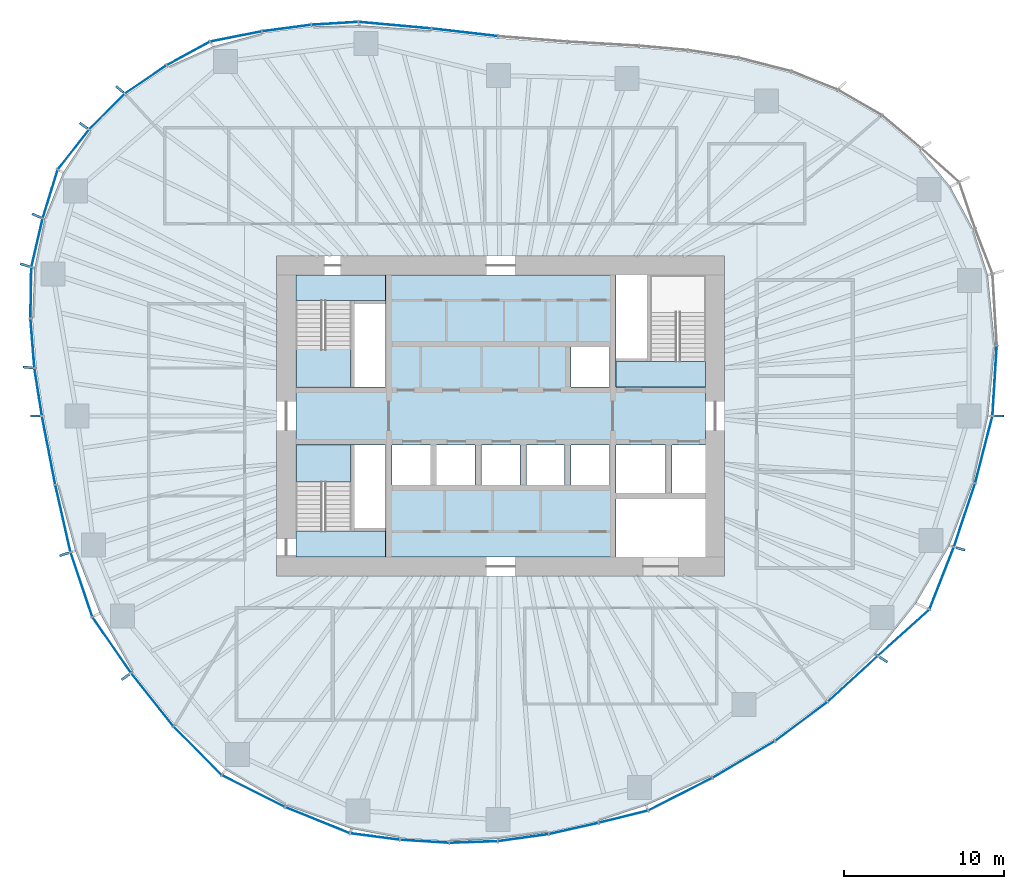
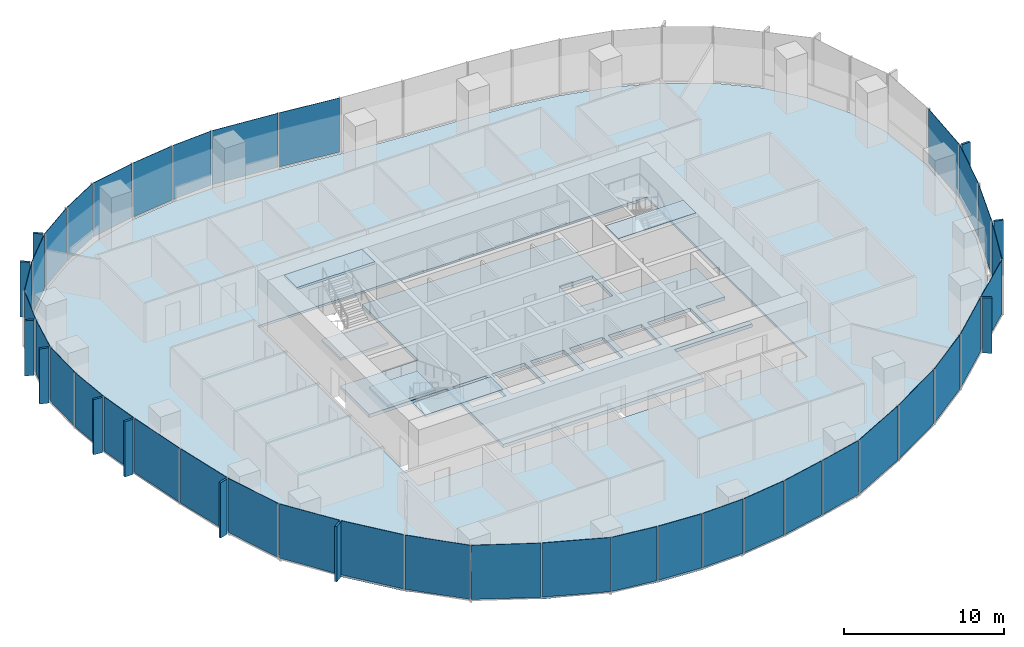
# One storey, part 7 of 18: 48 plates, 7 slabs, 19 elements without a shape of their own.
"""IFC4 building model written with IfcOpenShell, lengths in metres."""

import ifcopenshell
import ifcopenshell.guid

model = None  # the IFC model being written
_history = None  # IfcOwnerHistory: only IFC2X3 demands one
_inside = {}  # id of a spatial element -> (the spatial element, [elements in it])
_under = {}  # id of a project, library or spatial element -> (it, [spatial elements below it])
_declared = {}  # id of a project -> (the project, [libraries it declares])
_typed = {}  # id of a type object -> (the type object, [elements of that type])
_made_of = {}  # id of a material, layer set ... -> (it, [elements and type objects made of it])


def new_model(schema):
    """Start an empty IFC model of exactly this schema.

    Asked for "IFC4X3", IfcOpenShell would pick the latest addendum, in which some entities
    have other attributes; the version numbers below select the first issue.
    IFC2X3 requires an IfcOwnerHistory on every rooted entity: one is made here for all.
    """
    global model, _history
    if schema == "IFC4X3":
        model = ifcopenshell.file(schema_version=(4, 3, 0, 0))
    else:
        model = ifcopenshell.file(schema=schema)
    _inside.clear()
    _under.clear()
    _declared.clear()
    _typed.clear()
    _made_of.clear()
    _history = None
    if model.schema == "IFC2X3":
        org = make("IfcOrganization", Name="unknown")
        user = make(
            "IfcPersonAndOrganization",
            ThePerson=make("IfcPerson", FamilyName="unknown"),
            TheOrganization=org,
        )
        app = make(
            "IfcApplication",
            ApplicationDeveloper=org,
            Version="unknown",
            ApplicationFullName="unknown",
            ApplicationIdentifier="unknown",
        )
        _history = make(
            "IfcOwnerHistory",
            OwningUser=user,
            OwningApplication=app,
            ChangeAction="ADDED",
            CreationDate=0,
        )
    return model


def make(cls, **values):
    """One entity of the class cls with the attributes given. An attribute that is None is left unset."""
    return model.create_entity(
        cls, **{name: value for name, value in values.items() if value is not None}
    )


def rooted(cls, **values):
    """An entity with a GlobalId (a new one), such as an element, a storey or a relation."""
    return make(cls, GlobalId=ifcopenshell.guid.new(), OwnerHistory=_history, **values)


def si_unit(unit_type, name, prefix=None):
    """IfcSIUnit, for example si_unit("LENGTHUNIT", "METRE", prefix="MILLI")."""
    return make("IfcSIUnit", UnitType=unit_type, Prefix=prefix, Name=name)


def assignment(units):
    """IfcUnitAssignment: the units of a project."""
    return None if units is None else make("IfcUnitAssignment", Units=units)


def point(xyz):
    """IfcCartesianPoint."""
    return None if xyz is None else make("IfcCartesianPoint", Coordinates=xyz)


def direction(xyz):
    """IfcDirection."""
    return None if xyz is None else make("IfcDirection", DirectionRatios=xyz)


def frame(location, z_axis=None, x_axis=None):
    """IfcAxis2Placement3D, a coordinate frame: its origin and axes. An axis left out is left unset."""
    return make(
        "IfcAxis2Placement3D",
        Location=point(location),
        Axis=direction(z_axis),
        RefDirection=direction(x_axis),
    )


def frame_2d(location, x_axis=None):
    """IfcAxis2Placement2D, a coordinate frame in the plane: its origin and x axis."""
    return make(
        "IfcAxis2Placement2D", Location=point(location), RefDirection=direction(x_axis)
    )


def origin():
    """The frame at (0, 0, 0) with its axes left unset."""
    return frame((0.0, 0.0, 0.0))


def origin_2d():
    """The frame at (0, 0) in the plane with its x axis left unset."""
    return frame_2d((0.0, 0.0))


def place(relative_to, where):
    """IfcLocalPlacement: puts the frame where relative to a parent placement (None: the world)."""
    return make(
        "IfcLocalPlacement", PlacementRelTo=relative_to, RelativePlacement=where
    )


def context(
    kind, dimensions, precision=None, world=None, true_north=None, identifier=None
):
    """IfcGeometricRepresentationContext, for example the 3D "Model" context."""
    return make(
        "IfcGeometricRepresentationContext",
        ContextIdentifier=identifier,
        ContextType=kind,
        CoordinateSpaceDimension=dimensions,
        Precision=precision,
        WorldCoordinateSystem=world,
        TrueNorth=true_north,
    )


def subcontext(parent, identifier, kind, view, scale=None):
    """IfcGeometricRepresentationSubContext, for example "Body" below "Model"."""
    return make(
        "IfcGeometricRepresentationSubContext",
        ContextIdentifier=identifier,
        ContextType=kind,
        ParentContext=parent,
        TargetScale=scale,
        TargetView=view,
    )


def project(units=None, contexts=None):
    """IfcProject with its units and contexts."""
    return rooted(
        "IfcProject",
        Name="project",
        RepresentationContexts=contexts,
        UnitsInContext=assignment(units),
    )


def spatial(cls, under=None, at=None, **own):
    """A site, building, storey or space (cls), placed at a placement, below another one or the project."""
    s = rooted(cls, ObjectPlacement=at, **own)
    if under is not None:
        _under.setdefault(under.id(), (under, []))[1].append(s)
    return s


def polyline(points):
    """IfcPolyline through the points."""
    return make("IfcPolyline", Points=[point(p) for p in points])


def profile(cls, at=None, kind="AREA", **sizes):
    """A parametric profile (cls). Its sizes go by their IFC names, for example OverallWidth=200.0."""
    return make(cls, ProfileType=kind, Position=at, **sizes)


def rectangle(**sizes):
    """IfcRectangleProfileDef."""
    return profile("IfcRectangleProfileDef", **sizes)


def outline(outer, holes=None, kind="AREA"):
    """IfcArbitraryClosedProfileDef: a profile drawn as a closed curve; with holes, ...WithVoids."""
    if holes is None:
        return make("IfcArbitraryClosedProfileDef", ProfileType=kind, OuterCurve=outer)
    return make(
        "IfcArbitraryProfileDefWithVoids",
        ProfileType=kind,
        OuterCurve=outer,
        InnerCurves=holes,
    )


def extrude(swept, where, along, depth):
    """IfcExtrudedAreaSolid: the profile swept, set in the frame where, extruded along a direction by depth."""
    return make(
        "IfcExtrudedAreaSolid",
        SweptArea=swept,
        Position=where,
        ExtrudedDirection=direction(along),
        Depth=depth,
    )


def shape(context_of_items, identifier, shape_type, items):
    """IfcShapeRepresentation: the items that make up one representation, for example the "Body"."""
    return make(
        "IfcShapeRepresentation",
        ContextOfItems=context_of_items,
        RepresentationIdentifier=identifier,
        RepresentationType=shape_type,
        Items=items,
    )


def material(Name=None, Category=None):
    """IfcMaterial."""
    return make("IfcMaterial", Name=Name, Category=Category)


def layer(
    of_material, thickness, ventilated=None, Name=None, Category=None, Priority=None
):
    """IfcMaterialLayer: one layer of a wall or slab, of a material (None: an air gap)."""
    return make(
        "IfcMaterialLayer",
        Material=of_material,
        LayerThickness=thickness,
        IsVentilated=ventilated,
        Name=Name,
        Category=Category,
        Priority=Priority,
    )


def layer_set(layers, Name=None):
    """IfcMaterialLayerSet."""
    return make("IfcMaterialLayerSet", MaterialLayers=layers, LayerSetName=Name)


def made_of(thing, what):
    """Note that an element or type object is made of a material, layer set ...; save() writes the relation."""
    if what is not None:
        _made_of.setdefault(what.id(), (what, []))[1].append(thing)
    return thing


def type_object(cls, material=None, **own):
    """A type object (cls), such as IfcWallType, which elements share."""
    return made_of(rooted(cls, **own), material)


def element(
    cls,
    number,
    at=None,
    inside=None,
    cuts=None,
    type_object=None,
    material=None,
    context=None,
    identifier="Body",
    shape_type=None,
    held_by="IfcProductDefinitionShape",
    body=None,
    shapes=None,
    **own,
):
    """One element of the class cls, such as IfcWall. Its Tag is "e" and its number.

    at: its placement. inside: the storey or other place that contains it. cuts: it is an
    opening in that element (IfcRelVoidsElement). A single representation is given by context,
    identifier, shape_type and body (its items); several are given by shapes. held_by: the class
    of the entity that holds the representations. save() writes the other relations.
    """
    e = rooted(cls, Tag="e%d" % number, ObjectPlacement=at, **own)
    if body is not None:
        shapes = [shape(context, identifier, shape_type, body)]
    if shapes is not None:
        e.Representation = make(held_by, Representations=shapes)
    if inside is not None:
        _inside.setdefault(inside.id(), (inside, []))[1].append(e)
    if cuts is not None:
        rooted(
            "IfcRelVoidsElement", RelatingBuildingElement=cuts, RelatedOpeningElement=e
        )
    if type_object is not None:
        _typed.setdefault(type_object.id(), (type_object, []))[1].append(e)
    return made_of(e, material)


def aggregate(whole, parts):
    """IfcRelAggregates: a whole, such as a stair, and the parts it consists of."""
    return rooted("IfcRelAggregates", RelatingObject=whole, RelatedObjects=parts)


def save(model, path):
    """Write the relations noted so far, then the file.

    IfcRelAggregates (storeys below a building ...), IfcRelContainedInSpatialStructure (elements
    in a storey), IfcRelDefinesByType, IfcRelAssociatesMaterial and IfcRelDeclares: one each for
    every whole, place, type object, material and project.
    """
    for whole, parts in _under.values():
        aggregate(whole, parts)
    for where, things in _inside.values():
        rooted(
            "IfcRelContainedInSpatialStructure",
            RelatedElements=things,
            RelatingStructure=where,
        )
    for kind, things in _typed.values():
        rooted("IfcRelDefinesByType", RelatedObjects=things, RelatingType=kind)
    for what, things in _made_of.values():
        rooted("IfcRelAssociatesMaterial", RelatedObjects=things, RelatingMaterial=what)
    for by, libraries in _declared.values():
        rooted("IfcRelDeclares", RelatingContext=by, RelatedDefinitions=libraries)
    model.write(path)


model = new_model("IFC4")

# Units and contexts
model_context = context("Model", 3, precision=1e-05, world=origin(), true_north=direction((0.0, 1.0)))
body_context = subcontext(model_context, "Body", "Model", "MODEL_VIEW")
ifc_project = project(units=[si_unit("LENGTHUNIT", "METRE"), si_unit("AREAUNIT", "SQUARE_METRE"), si_unit("VOLUMEUNIT", "CUBIC_METRE"), si_unit("PLANEANGLEUNIT", "RADIAN"), si_unit("MASSUNIT", "GRAM", prefix="KILO")], contexts=[model_context])

# Site, building, storey
site_placement = place(None, origin())
site = spatial("IfcSite", under=ifc_project, at=site_placement, CompositionType="ELEMENT")
building_placement = place(site_placement, origin())
building = spatial("IfcBuilding", under=site, at=building_placement, Name="Ghaith Harvest Tower", CompositionType="ELEMENT")
storey_placement = place(building_placement, frame((0.0, 0.0, 113.39990234375)))
storey = spatial("IfcBuildingStorey", under=building, at=storey_placement, Name="L23", CompositionType="ELEMENT", Elevation=113.39990234375)

# Curtain wall, plate
ifc_material_1 = material(Name="Black anodised aluminium and fritted glass", Category="aluminium")
curtain_wall_type = type_object("IfcCurtainWallType", Name="CW-L CURTAIN WALL", PredefinedType="NOTDEFINED", material=ifc_material_1)
curtain_wall_1_placement = place(storey_placement, origin())
curtain_wall_1 = element("IfcCurtainWall", 1, at=curtain_wall_1_placement, inside=storey, type_object=curtain_wall_type, Name="Curtain wall CW-L bay 01 L23", PredefinedType="NOTDEFINED")
ifc_material_2 = material(Name="Glass, dark solar-control fritted double glazed unit", Category="glass")
ifc_layer_1 = layer(ifc_material_2, 0.031982421875)
ifc_layer_set_1 = layer_set([ifc_layer_1], Name="CW-L VISION PANEL")
plate_type_1 = type_object("IfcPlateType", Name="CW-L VISION PANEL", PredefinedType="CURTAIN_PANEL", material=ifc_layer_set_1)
plate_1_placement = place(storey_placement, frame((30.86376953125, 2.19482421875, 0.080078125), z_axis=(0.0, 0.0, 1.0), x_axis=(0.061379619468, 0.99811449359, 0.0)))
plate_1 = element("IfcPlate", 2, at=plate_1_placement, type_object=plate_type_1, Name="CW-L glass unit 1 bay 01 L23", PredefinedType="CURTAIN_PANEL", context=body_context, shape_type="SweptSolid", body=[
    extrude(rectangle(XDim=4.318115234375, YDim=0.031982421875, at=origin_2d()), origin(), (0.0, 0.0, 1.0), 4.1201171875),
])
aggregate(curtain_wall_1, [plate_1])

# Curtain wall, plates
curtain_wall_2_placement = place(storey_placement, origin())
curtain_wall_2 = element("IfcCurtainWall", 3, at=curtain_wall_2_placement, inside=storey, type_object=curtain_wall_type, Name="Curtain wall CW-L bay 06 L23", PredefinedType="NOTDEFINED")
plate_2_placement = place(storey_placement, frame((-2.24267578125, 23.968505859375, 0.080078125), z_axis=(0.0, 0.0, 1.0), x_axis=(-0.993477024646, 0.114032458099, 0.0)))
plate_2 = element("IfcPlate", 4, at=plate_2_placement, type_object=plate_type_1, Name="CW-L glass unit 1 bay 06 L23", PredefinedType="CURTAIN_PANEL", context=body_context, shape_type="SweptSolid", body=[
    extrude(rectangle(XDim=4.10791015625, YDim=0.031982421875, at=origin_2d()), origin(), (0.0, 0.0, 1.0), 4.1201171875),
])
plate_3_placement = place(storey_placement, frame((-6.607666015625, 24.4140625, 0.080078125), z_axis=(0.0, 0.0, 1.0), x_axis=(-0.995928776302, 0.090143621701, 0.0)))
plate_3 = element("IfcPlate", 5, at=plate_3_placement, type_object=plate_type_1, Name="CW-L glass unit 2 bay 06 L23", PredefinedType="CURTAIN_PANEL", context=body_context, shape_type="SweptSolid", body=[
    extrude(rectangle(XDim=4.508056640625, YDim=0.031982421875, at=origin_2d()), origin(), (0.0, 0.0, 1.0), 4.1201171875),
])
aggregate(curtain_wall_2, [plate_2, plate_3])

curtain_wall_3_placement = place(storey_placement, origin())
curtain_wall_3 = element("IfcCurtainWall", 6, at=curtain_wall_3_placement, inside=storey, type_object=curtain_wall_type, Name="Curtain wall CW-L bay 07 L23", PredefinedType="NOTDEFINED")
plate_4_placement = place(storey_placement, frame((-10.36669921875, 24.5302734375, 0.080078125), z_axis=(0.0, 0.0, 1.0), x_axis=(-0.998119199641, -0.061303044853, 0.0)))
plate_4 = element("IfcPlate", 7, at=plate_4_placement, type_object=plate_type_1, Name="CW-L glass unit 1 bay 07 L23", PredefinedType="CURTAIN_PANEL", context=body_context, shape_type="SweptSolid", body=[
    extrude(rectangle(XDim=2.874267578125, YDim=0.031982421875, at=origin_2d()), origin(), (0.0, 0.0, 1.0), 4.1201171875),
])
plate_5_placement = place(storey_placement, frame((-13.382568359375, 24.23486328125, 0.080078125), z_axis=(0.0, 0.0, 1.0), x_axis=(-0.991285895369, -0.131728029071, 0.0)))
plate_5 = element("IfcPlate", 8, at=plate_5_placement, type_object=plate_type_1, Name="CW-L glass unit 2 bay 07 L23", PredefinedType="CURTAIN_PANEL", context=body_context, shape_type="SweptSolid", body=[
    extrude(rectangle(XDim=3.02978515625, YDim=0.031982421875, at=origin_2d()), origin(), (0.0, 0.0, 1.0), 4.1201171875),
])
plate_6_placement = place(storey_placement, frame((-16.54443359375, 23.7099609375, 0.080078125), z_axis=(0.0, 0.0, 1.0), x_axis=(-0.981037550101, -0.193817763096, 0.0)))
plate_6 = element("IfcPlate", 9, at=plate_6_placement, type_object=plate_type_1, Name="CW-L glass unit 3 bay 07 L23", PredefinedType="CURTAIN_PANEL", context=body_context, shape_type="SweptSolid", body=[
    extrude(rectangle(XDim=3.22412109375, YDim=0.031982421875, at=origin_2d()), origin(), (0.0, 0.0, 1.0), 4.1201171875),
])
aggregate(curtain_wall_3, [plate_4, plate_5, plate_6])

curtain_wall_4_placement = place(storey_placement, origin())
curtain_wall_4 = element("IfcCurtainWall", 10, at=curtain_wall_4_placement, inside=storey, type_object=curtain_wall_type, Name="Curtain wall CW-L bay 08 L23", PredefinedType="NOTDEFINED")
plate_7_placement = place(storey_placement, frame((-19.520263671875, 22.650634765625, 0.080078125), z_axis=(0.0, 0.0, 1.0), x_axis=(-0.877940384665, -0.478769966659, 0.0)))
plate_7 = element("IfcPlate", 11, at=plate_7_placement, type_object=plate_type_1, Name="CW-L glass unit 1 bay 08 L23", PredefinedType="CURTAIN_PANEL", context=body_context, shape_type="SweptSolid", body=[
    extrude(rectangle(XDim=3.007080078125, YDim=0.031982421875, at=origin_2d()), origin(), (0.0, 0.0, 1.0), 4.1201171875),
])
plate_8_placement = place(storey_placement, frame((-22.182373046875, 21.025390625, 0.080078125), z_axis=(0.0, 0.0, 1.0), x_axis=(-0.827674847773, -0.561207935051, 0.0)))
plate_8 = element("IfcPlate", 12, at=plate_8_placement, type_object=plate_type_1, Name="CW-L glass unit 2 bay 08 L23", PredefinedType="CURTAIN_PANEL", context=body_context, shape_type="SweptSolid", body=[
    extrude(rectangle(XDim=3.078369140625, YDim=0.031982421875, at=origin_2d()), origin(), (0.0, 0.0, 1.0), 4.1201171875),
])
plate_9_placement = place(storey_placement, frame((-24.603759765625, 19.01708984375, 0.080078125), z_axis=(0.0, 0.0, 1.0), x_axis=(-0.704613943896, -0.709590861037, 0.0)))
plate_9 = element("IfcPlate", 13, at=plate_9_placement, type_object=plate_type_1, Name="CW-L glass unit 3 bay 08 L23", PredefinedType="CURTAIN_PANEL", context=body_context, shape_type="SweptSolid", body=[
    extrude(rectangle(XDim=3.0830078125, YDim=0.031982421875, at=origin_2d()), origin(), (0.0, 0.0, 1.0), 4.1201171875),
])
aggregate(curtain_wall_4, [plate_7, plate_8, plate_9])

curtain_wall_5_placement = place(storey_placement, origin())
curtain_wall_5 = element("IfcCurtainWall", 14, at=curtain_wall_5_placement, inside=storey, type_object=curtain_wall_type, Name="Curtain wall CW-L bay 09 L23", PredefinedType="NOTDEFINED")
plate_10_placement = place(storey_placement, frame((-26.69873046875, 16.644775390625, 0.080078125), z_axis=(0.0, 0.0, 1.0), x_axis=(-0.617140806324, -0.786852734106, 0.0)))
plate_10 = element("IfcPlate", 15, at=plate_10_placement, type_object=plate_type_1, Name="CW-L glass unit 1 bay 09 L23", PredefinedType="CURTAIN_PANEL", context=body_context, shape_type="SweptSolid", body=[
    extrude(rectangle(XDim=3.09765625, YDim=0.031982421875, at=origin_2d()), origin(), (0.0, 0.0, 1.0), 4.1201171875),
])
plate_11_placement = place(storey_placement, frame((-28.14794921875, 13.869140625, 0.080078125), z_axis=(0.0, 0.0, 1.0), x_axis=(-0.293802674087, -0.955866093498, 0.0)))
plate_11 = element("IfcPlate", 16, at=plate_11_placement, type_object=plate_type_1, Name="CW-L glass unit 2 bay 09 L23", PredefinedType="CURTAIN_PANEL", context=body_context, shape_type="SweptSolid", body=[
    extrude(rectangle(XDim=3.111328125, YDim=0.031982421875, at=origin_2d()), origin(), (0.0, 0.0, 1.0), 4.1201171875),
])
plate_12_placement = place(storey_placement, frame((-28.9716796875, 10.819091796875, 0.080078125), z_axis=(0.0, 0.0, 1.0), x_axis=(-0.226698962458, -0.973964876379, 0.0)))
plate_12 = element("IfcPlate", 17, at=plate_12_placement, type_object=plate_type_1, Name="CW-L glass unit 3 bay 09 L23", PredefinedType="CURTAIN_PANEL", context=body_context, shape_type="SweptSolid", body=[
    extrude(rectangle(XDim=3.05126953125, YDim=0.031982421875, at=origin_2d()), origin(), (0.0, 0.0, 1.0), 4.1201171875),
])
aggregate(curtain_wall_5, [plate_10, plate_11, plate_12])

curtain_wall_6_placement = place(storey_placement, origin())
curtain_wall_6 = element("IfcCurtainWall", 18, at=curtain_wall_6_placement, inside=storey, type_object=curtain_wall_type, Name="Curtain wall CW-L bay 10 L23", PredefinedType="NOTDEFINED")
plate_13_placement = place(storey_placement, frame((-29.352294921875, 7.695068359375, 0.080078125), z_axis=(0.0, 0.0, 1.0), x_axis=(-0.016034106433, -0.999871445452, 0.0)))
plate_13 = element("IfcPlate", 19, at=plate_13_placement, type_object=plate_type_1, Name="CW-L glass unit 1 bay 10 L23", PredefinedType="CURTAIN_PANEL", context=body_context, shape_type="SweptSolid", body=[
    extrude(rectangle(XDim=3.118408203125, YDim=0.031982421875, at=origin_2d()), origin(), (0.0, 0.0, 1.0), 4.1201171875),
])
plate_14_placement = place(storey_placement, frame((-29.25439453125, 4.54345703125, 0.080078125), z_axis=(0.0, 0.0, 1.0), x_axis=(0.079273335663, -0.996852917061, 0.0)))
plate_14 = element("IfcPlate", 20, at=plate_14_placement, type_object=plate_type_1, Name="CW-L glass unit 2 bay 10 L23", PredefinedType="CURTAIN_PANEL", context=body_context, shape_type="SweptSolid", body=[
    extrude(rectangle(XDim=3.035400390625, YDim=0.031982421875, at=origin_2d()), origin(), (0.0, 0.0, 1.0), 4.1201171875),
])
plate_15_placement = place(storey_placement, frame((-28.896240234375, 1.495361328125, 0.080078125), z_axis=(0.0, 0.0, 1.0), x_axis=(0.155172175389, -0.987887440949, 0.0)))
plate_15 = element("IfcPlate", 21, at=plate_15_placement, type_object=plate_type_1, Name="CW-L glass unit 3 bay 10 L23", PredefinedType="CURTAIN_PANEL", context=body_context, shape_type="SweptSolid", body=[
    extrude(rectangle(XDim=2.947265625, YDim=0.031982421875, at=origin_2d()), origin(), (0.0, 0.0, 1.0), 4.1201171875),
])
aggregate(curtain_wall_6, [plate_13, plate_14, plate_15])

curtain_wall_7_placement = place(storey_placement, origin())
curtain_wall_7 = element("IfcCurtainWall", 22, at=curtain_wall_7_placement, inside=storey, type_object=curtain_wall_type, Name="Curtain wall CW-L bay 11 L23", PredefinedType="NOTDEFINED")
plate_16_placement = place(storey_placement, frame((-28.24462890625, -2.152099609375, 0.080078125), z_axis=(0.0, 0.0, 1.0), x_axis=(0.190044913274, -0.981775397399, 0.0)))
plate_16 = element("IfcPlate", 23, at=plate_16_placement, type_object=plate_type_1, Name="CW-L glass unit 1 bay 11 L23", PredefinedType="CURTAIN_PANEL", context=body_context, shape_type="SweptSolid", body=[
    extrude(rectangle(XDim=4.303955078125, YDim=0.031982421875, at=origin_2d()), origin(), (0.0, 0.0, 1.0), 4.1201171875),
])
plate_17_placement = place(storey_placement, frame((-27.351806640625, -6.41064453125, 0.080078125), z_axis=(0.0, 0.0, 1.0), x_axis=(0.220483469245, -0.975390711351, 0.0)))
plate_17 = element("IfcPlate", 24, at=plate_17_placement, type_object=plate_type_1, Name="CW-L glass unit 2 bay 11 L23", PredefinedType="CURTAIN_PANEL", context=body_context, shape_type="SweptSolid", body=[
    extrude(rectangle(XDim=4.239501953125, YDim=0.031982421875, at=origin_2d()), origin(), (0.0, 0.0, 1.0), 4.1201171875),
])
aggregate(curtain_wall_7, [plate_16, plate_17])

curtain_wall_8_placement = place(storey_placement, origin())
curtain_wall_8 = element("IfcCurtainWall", 25, at=curtain_wall_8_placement, inside=storey, type_object=curtain_wall_type, Name="Curtain wall CW-L bay 12 L23", PredefinedType="NOTDEFINED")
plate_18_placement = place(storey_placement, frame((-26.194580078125, -10.537841796875, 0.080078125), z_axis=(0.0, 0.0, 1.0), x_axis=(0.319477383729, -0.947593901039, 0.0)))
plate_18 = element("IfcPlate", 26, at=plate_18_placement, type_object=plate_type_1, Name="CW-L glass unit 1 bay 12 L23", PredefinedType="CURTAIN_PANEL", context=body_context, shape_type="SweptSolid", body=[
    extrude(rectangle(XDim=4.184326171875, YDim=0.031982421875, at=origin_2d()), origin(), (0.0, 0.0, 1.0), 4.1201171875),
])
plate_19_placement = place(storey_placement, frame((-24.3017578125, -14.312255859375, 0.080078125), z_axis=(0.0, 0.0, 1.0), x_axis=(0.568347699633, -0.822788485774, 0.0)))
plate_19 = element("IfcPlate", 27, at=plate_19_placement, type_object=plate_type_1, Name="CW-L glass unit 2 bay 12 L23", PredefinedType="CURTAIN_PANEL", context=body_context, shape_type="SweptSolid", body=[
    extrude(rectangle(XDim=4.18359375, YDim=0.031982421875, at=origin_2d()), origin(), (0.0, 0.0, 1.0), 4.1201171875),
])
aggregate(curtain_wall_8, [plate_18, plate_19])

curtain_wall_9_placement = place(storey_placement, origin())
curtain_wall_9 = element("IfcCurtainWall", 28, at=curtain_wall_9_placement, inside=storey, type_object=curtain_wall_type, Name="Curtain wall CW-L bay 13 L23", PredefinedType="NOTDEFINED")
plate_20_placement = place(storey_placement, frame((-21.765625, -17.7314453125, 0.080078125), z_axis=(0.0, 0.0, 1.0), x_axis=(0.622507360482, -0.782613944513, 0.0)))
plate_20 = element("IfcPlate", 29, at=plate_20_placement, type_object=plate_type_1, Name="CW-L glass unit 1 bay 13 L23", PredefinedType="CURTAIN_PANEL", context=body_context, shape_type="SweptSolid", body=[
    extrude(rectangle(XDim=4.175537109375, YDim=0.031982421875, at=origin_2d()), origin(), (0.0, 0.0, 1.0), 4.1201171875),
])
plate_21_placement = place(storey_placement, frame((-18.935791015625, -20.920166015625, 0.080078125), z_axis=(0.0, 0.0, 1.0), x_axis=(0.702843151286, -0.711344856375, 0.0)))
plate_21 = element("IfcPlate", 30, at=plate_21_placement, type_object=plate_type_1, Name="CW-L glass unit 2 bay 13 L23", PredefinedType="CURTAIN_PANEL", context=body_context, shape_type="SweptSolid", body=[
    extrude(rectangle(XDim=4.203369140625, YDim=0.031982421875, at=origin_2d()), origin(), (0.0, 0.0, 1.0), 4.1201171875),
])
aggregate(curtain_wall_9, [plate_20, plate_21])

curtain_wall_10_placement = place(storey_placement, origin())
curtain_wall_10 = element("IfcCurtainWall", 31, at=curtain_wall_10_placement, inside=storey, type_object=curtain_wall_type, Name="Curtain wall CW-L bay 14 L23", PredefinedType="NOTDEFINED")
plate_22_placement = place(storey_placement, frame((-15.44677734375, -23.443115234375, 0.080078125), z_axis=(0.0, 0.0, 1.0), x_axis=(0.893062297869, -0.449933030712, 0.0)))
plate_22 = element("IfcPlate", 32, at=plate_22_placement, type_object=plate_type_1, Name="CW-L glass unit 1 bay 14 L23", PredefinedType="CURTAIN_PANEL", context=body_context, shape_type="SweptSolid", body=[
    extrude(rectangle(XDim=4.362548828125, YDim=0.031982421875, at=origin_2d()), origin(), (0.0, 0.0, 1.0), 4.1201171875),
])
plate_23_placement = place(storey_placement, frame((-11.441162109375, -25.260498046875, 0.080078125), z_axis=(0.0, 0.0, 1.0), x_axis=(0.927002522537, -0.375055093567, 0.0)))
plate_23 = element("IfcPlate", 33, at=plate_23_placement, type_object=plate_type_1, Name="CW-L glass unit 2 bay 14 L23", PredefinedType="CURTAIN_PANEL", context=body_context, shape_type="SweptSolid", body=[
    extrude(rectangle(XDim=4.282470703125, YDim=0.031982421875, at=origin_2d()), origin(), (0.0, 0.0, 1.0), 4.1201171875),
])
aggregate(curtain_wall_10, [plate_22, plate_23])

curtain_wall_11_placement = place(storey_placement, origin())
curtain_wall_11 = element("IfcCurtainWall", 34, at=curtain_wall_11_placement, inside=storey, type_object=curtain_wall_type, Name="Curtain wall CW-L bay 15 L23", PredefinedType="NOTDEFINED")
plate_24_placement = place(storey_placement, frame((-7.856689453125, -26.281005859375, 0.080078125), z_axis=(0.0, 0.0, 1.0), x_axis=(0.99172348392, -0.128392100386, 0.0)))
plate_24 = element("IfcPlate", 35, at=plate_24_placement, type_object=plate_type_1, Name="CW-L glass unit 1 bay 15 L23", PredefinedType="CURTAIN_PANEL", context=body_context, shape_type="SweptSolid", body=[
    extrude(rectangle(XDim=3.07080078125, YDim=0.031982421875, at=origin_2d()), origin(), (0.0, 0.0, 1.0), 4.1201171875),
])
plate_25_placement = place(storey_placement, frame((-4.7568359375, -26.57958984375, 0.080078125), z_axis=(0.0, 0.0, 1.0), x_axis=(0.998038280843, -0.062606628824, 0.0)))
plate_25 = element("IfcPlate", 36, at=plate_25_placement, type_object=plate_type_1, Name="CW-L glass unit 2 bay 15 L23", PredefinedType="CURTAIN_PANEL", context=body_context, shape_type="SweptSolid", body=[
    extrude(rectangle(XDim=3.001220703125, YDim=0.031982421875, at=origin_2d()), origin(), (0.0, 0.0, 1.0), 4.1201171875),
])
plate_26_placement = place(storey_placement, frame((-1.700439453125, -26.624755859375, 0.080078125), z_axis=(0.0, 0.0, 1.0), x_axis=(0.999431515426, 0.033714180603, 0.0)))
plate_26 = element("IfcPlate", 37, at=plate_26_placement, type_object=plate_type_1, Name="CW-L glass unit 3 bay 15 L23", PredefinedType="CURTAIN_PANEL", context=body_context, shape_type="SweptSolid", body=[
    extrude(rectangle(XDim=2.958984375, YDim=0.031982421875, at=origin_2d()), origin(), (0.0, 0.0, 1.0), 4.1201171875),
])
aggregate(curtain_wall_11, [plate_24, plate_25, plate_26])

curtain_wall_12_placement = place(storey_placement, origin())
curtain_wall_12 = element("IfcCurtainWall", 38, at=curtain_wall_12_placement, inside=storey, type_object=curtain_wall_type, Name="Curtain wall CW-L bay 16 L23", PredefinedType="NOTDEFINED")
plate_27_placement = place(storey_placement, frame((1.4140625, -26.3515625, 0.080078125), z_axis=(0.0, 0.0, 1.0), x_axis=(0.990448098003, 0.137886058621, 0.0)))
plate_27 = element("IfcPlate", 39, at=plate_27_placement, type_object=plate_type_1, Name="CW-L glass unit 1 bay 16 L23", PredefinedType="CURTAIN_PANEL", context=body_context, shape_type="SweptSolid", body=[
    extrude(rectangle(XDim=3.142578125, YDim=0.031982421875, at=origin_2d()), origin(), (0.0, 0.0, 1.0), 4.1201171875),
])
plate_28_placement = place(storey_placement, frame((4.565185546875, -25.77734375, 0.080078125), z_axis=(0.0, 0.0, 1.0), x_axis=(0.975341754172, 0.220699937852, 0.0)))
plate_28 = element("IfcPlate", 40, at=plate_28_placement, type_object=plate_type_1, Name="CW-L glass unit 2 bay 16 L23", PredefinedType="CURTAIN_PANEL", context=body_context, shape_type="SweptSolid", body=[
    extrude(rectangle(XDim=3.10888671875, YDim=0.031982421875, at=origin_2d()), origin(), (0.0, 0.0, 1.0), 4.1201171875),
])
plate_29_placement = place(storey_placement, frame((7.66845703125, -25.0400390625, 0.080078125), z_axis=(0.0, 0.0, 1.0), x_axis=(0.970384283801, 0.241566433413, 0.0)))
plate_29 = element("IfcPlate", 41, at=plate_29_placement, type_object=plate_type_1, Name="CW-L glass unit 3 bay 16 L23", PredefinedType="CURTAIN_PANEL", context=body_context, shape_type="SweptSolid", body=[
    extrude(rectangle(XDim=3.111083984375, YDim=0.031982421875, at=origin_2d()), origin(), (0.0, 0.0, 1.0), 4.1201171875),
])
aggregate(curtain_wall_12, [plate_27, plate_28, plate_29])

curtain_wall_13_placement = place(storey_placement, origin())
curtain_wall_13 = element("IfcCurtainWall", 42, at=curtain_wall_13_placement, inside=storey, type_object=curtain_wall_type, Name="Curtain wall CW-L bay 17 L23", PredefinedType="NOTDEFINED")
plate_30_placement = place(storey_placement, frame((11.220703125, -23.63427734375, 0.080078125), z_axis=(0.0, 0.0, 1.0), x_axis=(0.891126766056, 0.453754434489, 0.0)))
plate_30 = element("IfcPlate", 43, at=plate_30_placement, type_object=plate_type_1, Name="CW-L glass unit 1 bay 17 L23", PredefinedType="CURTAIN_PANEL", context=body_context, shape_type="SweptSolid", body=[
    extrude(rectangle(XDim=4.417236328125, YDim=0.031982421875, at=origin_2d()), origin(), (0.0, 0.0, 1.0), 4.1201171875),
])
plate_31_placement = place(storey_placement, frame((15.17822265625, -21.46484375, 0.080078125), z_axis=(0.0, 0.0, 1.0), x_axis=(0.861979497965, 0.506943137924, 0.0)))
plate_31 = element("IfcPlate", 44, at=plate_31_placement, type_object=plate_type_1, Name="CW-L glass unit 2 bay 17 L23", PredefinedType="CURTAIN_PANEL", context=body_context, shape_type="SweptSolid", body=[
    extrude(rectangle(XDim=4.453125, YDim=0.031982421875, at=origin_2d()), origin(), (0.0, 0.0, 1.0), 4.1201171875),
])
aggregate(curtain_wall_13, [plate_30, plate_31])

curtain_wall_14_placement = place(storey_placement, origin())
curtain_wall_14 = element("IfcCurtainWall", 45, at=curtain_wall_14_placement, inside=storey, type_object=curtain_wall_type, Name="Curtain wall CW-L bay 18 L23", PredefinedType="NOTDEFINED")
plate_32_placement = place(storey_placement, frame((18.78076171875, -19.08984375, 0.080078125), z_axis=(0.0, 0.0, 1.0), x_axis=(0.802462370117, 0.596702727115, 0.0)))
plate_32 = element("IfcPlate", 46, at=plate_32_placement, type_object=plate_type_1, Name="CW-L glass unit 1 bay 18 L23", PredefinedType="CURTAIN_PANEL", context=body_context, shape_type="SweptSolid", body=[
    extrude(rectangle(XDim=4.029541015625, YDim=0.031982421875, at=origin_2d()), origin(), (0.0, 0.0, 1.0), 4.1201171875),
])
plate_33_placement = place(storey_placement, frame((21.9951171875, -16.428955078125, 0.080078125), z_axis=(0.0, 0.0, 1.0), x_axis=(0.737201663563, 0.675672781189, 0.0)))
plate_33 = element("IfcPlate", 47, at=plate_33_placement, type_object=plate_type_1, Name="CW-L glass unit 2 bay 18 L23", PredefinedType="CURTAIN_PANEL", context=body_context, shape_type="SweptSolid", body=[
    extrude(rectangle(XDim=4.1669921875, YDim=0.031982421875, at=origin_2d()), origin(), (0.0, 0.0, 1.0), 4.1201171875),
])
aggregate(curtain_wall_14, [plate_32, plate_33])

curtain_wall_15_placement = place(storey_placement, origin())
curtain_wall_15 = element("IfcCurtainWall", 48, at=curtain_wall_15_placement, inside=storey, type_object=curtain_wall_type, Name="Curtain wall CW-L bay 19 L23", PredefinedType="NOTDEFINED")
plate_34_placement = place(storey_placement, frame((25.17333984375, -13.54345703125, 0.080078125), z_axis=(0.0, 0.0, 1.0), x_axis=(0.743493028761, 0.668743684968, 0.0)))
plate_34 = element("IfcPlate", 49, at=plate_34_placement, type_object=plate_type_1, Name="CW-L glass unit 1 bay 19 L23", PredefinedType="CURTAIN_PANEL", context=body_context, shape_type="SweptSolid", body=[
    extrude(rectangle(XDim=4.2587890625, YDim=0.031982421875, at=origin_2d()), origin(), (0.0, 0.0, 1.0), 4.1201171875),
])
plate_35_placement = place(storey_placement, frame((27.552978515625, -10.138916015625, 0.080078125), z_axis=(0.0, 0.0, 1.0), x_axis=(0.365226458984, 0.930918704108, 0.0)))
plate_35 = element("IfcPlate", 50, at=plate_35_placement, type_object=plate_type_1, Name="CW-L glass unit 2 bay 19 L23", PredefinedType="CURTAIN_PANEL", context=body_context, shape_type="SweptSolid", body=[
    extrude(rectangle(XDim=4.11767578125, YDim=0.031982421875, at=origin_2d()), origin(), (0.0, 0.0, 1.0), 4.1201171875),
])
aggregate(curtain_wall_15, [plate_34, plate_35])

curtain_wall_16_placement = place(storey_placement, origin())
curtain_wall_16 = element("IfcCurtainWall", 51, at=curtain_wall_16_placement, inside=storey, type_object=curtain_wall_type, Name="Curtain wall CW-L bay 20 L23", PredefinedType="NOTDEFINED")
plate_36_placement = place(storey_placement, frame((28.982666015625, -6.191650390625, 0.080078125), z_axis=(0.0, 0.0, 1.0), x_axis=(0.315708038084, 0.948856382541, 0.0)))
plate_36 = element("IfcPlate", 52, at=plate_36_placement, type_object=plate_type_1, Name="CW-L glass unit 1 bay 20 L23", PredefinedType="CURTAIN_PANEL", context=body_context, shape_type="SweptSolid", body=[
    extrude(rectangle(XDim=4.12158203125, YDim=0.031982421875, at=origin_2d()), origin(), (0.0, 0.0, 1.0), 4.1201171875),
])
plate_37_placement = place(storey_placement, frame((30.187255859375, -2.09912109375, 0.080078125), z_axis=(0.0, 0.0, 1.0), x_axis=(0.24974411022, 0.968311870944, 0.0)))
plate_37 = element("IfcPlate", 53, at=plate_37_placement, type_object=plate_type_1, Name="CW-L glass unit 2 bay 20 L23", PredefinedType="CURTAIN_PANEL", context=body_context, shape_type="SweptSolid", body=[
    extrude(rectangle(XDim=4.255615234375, YDim=0.031982421875, at=origin_2d()), origin(), (0.0, 0.0, 1.0), 4.1201171875),
])
aggregate(curtain_wall_16, [plate_36, plate_37])

# Slabs
ifc_material_3 = material(Name="Concrete C40/50", Category="concrete")
ifc_layer_2 = layer(ifc_material_3, 0.169921875)
ifc_layer_set_2 = layer_set([ifc_layer_2], Name="FLOOR SLAB 170")
slab_type_1 = type_object("IfcSlabType", Name="FLOOR SLAB 170", PredefinedType="FLOOR", material=ifc_layer_set_2)
slab_1_placement = place(storey_placement, frame((0.0, 0.0, -0.169921875)))
element("IfcSlab", 54, at=slab_1_placement, inside=storey, type_object=slab_type_1, Name="Floor slab L23", PredefinedType="FLOOR", context=body_context, shape_type="SweptSolid", body=[
    extrude(outline(polyline([(30.458740234375, 0.0), (30.8798828125, 4.373046875), (30.439208984375, 8.797607421875), (29.52294921875, 11.671875), (28.0888671875, 14.32568359375), (26.179443359375, 16.660888671875), (23.7275390625, 18.718017578125), (20.97998046875, 20.3056640625), (18.0849609375, 21.4462890625), (14.79833984375, 22.27978515625), (11.617919921875, 22.757080078125), (8.604736328125, 23.017333984375), (4.125732421875, 23.272705078125), (-0.16162109375, 23.609619140625), (-4.302001953125, 24.089111328125), (-8.814208984375, 24.404541015625), (-11.788818359375, 24.331787109375), (-14.860595703125, 23.927978515625), (-17.938232421875, 23.097412109375), (-20.79248046875, 21.82470703125), (-23.398193359375, 20.06103515625), (-25.61962890625, 17.826416015625), (-27.33837890625, 15.204833984375), (-28.506591796875, 12.29638671875), (-29.12646484375, 9.230712890625), (-29.260498046875, 6.07177734375), (-29.01171875, 2.978271484375), (-28.541259765625, 0.0), (-27.70947265625, -4.285888671875), (-26.580078125, -8.423583984375), (-25.046875, -12.32861328125), (-22.99169921875, -15.997802734375), (-20.35400390625, -19.31396484375), (-17.1728515625, -22.11181640625), (-13.4052734375, -24.33740234375), (-9.317138671875, -25.79638671875), (-6.2666015625, -26.366455078125), (-3.204833984375, -26.556884765625), (-0.180908203125, -26.423583984375), (2.99609375, -26.010009765625), (6.09228515625, -25.308837890625), (9.09423828125, -24.326904296875), (13.163818359375, -22.510498046875), (17.054443359375, -20.22412109375), (20.33935546875, -17.784912109375), (23.400390625, -14.89208984375), (25.94775390625, -11.714111328125), (28.03125, -8.1015625), (29.527099609375, -4.181396484375), (30.458740234375, 0.0)]), holes=[polyline([(-14.0, -10.0), (14.0, -10.0), (14.0, 10.0), (-14.0, 10.0), (-14.0, -10.0)])]), origin(), (0.0, 0.0, 1.0), 0.169921875),
])
ifc_material_4 = material(Name="Concrete C40/50", Category="concrete")
ifc_layer_3 = layer(ifc_material_4, 0.25)
ifc_layer_set_3 = layer_set([ifc_layer_3], Name="FLOOR SLAB 250")
slab_type_2 = type_object("IfcSlabType", Name="FLOOR SLAB 250", PredefinedType="FLOOR", material=ifc_layer_set_3)
slab_2_placement = place(storey_placement, frame((0.0, 0.0, -0.25)))
element("IfcSlab", 55, at=slab_2_placement, inside=storey, type_object=slab_type_2, Name="Core slab L23", PredefinedType="FLOOR", context=body_context, shape_type="SweptSolid", body=[
    extrude(outline(polyline([(-12.800048828125, 1.800048828125), (-7.199951171875, 1.800048828125), (-7.199951171875, 8.800048828125), (7.199951171875, 8.800048828125), (7.199951171875, 1.800048828125), (12.800048828125, 1.800048828125), (12.800048828125, -1.800048828125), (10.699951171875, -1.800048828125), (10.699951171875, -4.800048828125), (12.800048828125, -4.800048828125), (12.800048828125, -5.199951171875), (7.199951171875, -5.199951171875), (7.199951171875, -8.800048828125), (-7.199951171875, -8.800048828125), (-7.199951171875, -1.800048828125), (-12.800048828125, -1.800048828125), (-12.800048828125, 1.800048828125)]), holes=[polyline([(-4.39990234375, -4.300048828125), (-4.39990234375, -1.800048828125), (-6.800048828125, -1.800048828125), (-6.800048828125, -4.300048828125), (-4.39990234375, -4.300048828125)]), polyline([(-1.60009765625, -4.300048828125), (-1.60009765625, -1.800048828125), (-4.0, -1.800048828125), (-4.0, -4.300048828125), (-1.60009765625, -4.300048828125)]), polyline([(1.199951171875, -1.800048828125), (-1.199951171875, -1.800048828125), (-1.199951171875, -4.300048828125), (1.199951171875, -4.300048828125), (1.199951171875, -1.800048828125)]), polyline([(4.0, -4.300048828125), (4.0, -1.800048828125), (1.60009765625, -1.800048828125), (1.60009765625, -4.300048828125), (4.0, -4.300048828125)]), polyline([(10.300048828125, -4.800048828125), (10.300048828125, -1.800048828125), (7.199951171875, -1.800048828125), (7.199951171875, -4.800048828125), (10.300048828125, -4.800048828125)]), polyline([(6.800048828125, -1.800048828125), (4.39990234375, -1.800048828125), (4.39990234375, -4.300048828125), (6.800048828125, -4.300048828125), (6.800048828125, -1.800048828125)]), polyline([(6.800048828125, 1.800048828125), (6.800048828125, 4.300048828125), (4.39990234375, 4.300048828125), (4.39990234375, 1.800048828125), (6.800048828125, 1.800048828125)])]), origin(), (0.0, 0.0, 1.0), 0.25),
])

# Stair, slabs
ifc_material_5 = material(Name="Concrete C40/50, precast", Category="concrete")
stair_type = type_object("IfcStairType", Name="CORE STAIR 24R", PredefinedType="HALF_TURN_STAIR", material=ifc_material_5)
stair_1_placement = place(storey_placement, origin())
stair_1 = element("IfcStair", 56, at=stair_1_placement, inside=storey, type_object=stair_type, Name="Stair ST1 L23", PredefinedType="HALF_TURN_STAIR")
ifc_material_6 = material(Name="Concrete C40/50, precast", Category="concrete")
ifc_layer_4 = layer(ifc_material_6, 0.179931640625)
ifc_layer_set_4 = layer_set([ifc_layer_4], Name="STAIR LANDING 180")
slab_type_3 = type_object("IfcSlabType", Name="STAIR LANDING 180", PredefinedType="LANDING", material=ifc_layer_set_4)
slab_3_placement = place(storey_placement, frame((0.0, 0.0, 1.920166015625)))
slab_3 = element("IfcSlab", 57, at=slab_3_placement, type_object=slab_type_3, Name="ST1 landing 1", PredefinedType="LANDING", context=body_context, shape_type="SweptSolid", body=[
    extrude(outline(polyline([(-12.800048828125, 4.139892578125), (-12.800048828125, 1.77490234375), (-9.35009765625, 1.77490234375), (-9.35009765625, 4.139892578125), (-12.800048828125, 4.139892578125)])), origin(), (0.0, 0.0, 1.0), 0.179931640625),
])
slab_4_placement = place(storey_placement, frame((0.0, 0.0, 4.02001953125)))
slab_4 = element("IfcSlab", 58, at=slab_4_placement, type_object=slab_type_3, Name="ST1 landing 2", PredefinedType="LANDING", context=body_context, shape_type="SweptSolid", body=[
    extrude(outline(polyline([(-12.800048828125, 8.800048828125), (-12.800048828125, 7.199951171875), (-7.199951171875, 7.199951171875), (-7.199951171875, 8.800048828125), (-12.800048828125, 8.800048828125)])), origin(), (0.0, 0.0, 1.0), 0.18017578125),
])
aggregate(stair_1, [slab_3, slab_4])

stair_2_placement = place(storey_placement, origin())
stair_2 = element("IfcStair", 59, at=stair_2_placement, inside=storey, type_object=stair_type, Name="Stair ST3 L23", PredefinedType="HALF_TURN_STAIR")
slab_5_placement = place(storey_placement, frame((0.0, 0.0, 1.920166015625)))
slab_5 = element("IfcSlab", 60, at=slab_5_placement, type_object=slab_type_3, Name="ST3 landing 1", PredefinedType="LANDING", context=body_context, shape_type="SweptSolid", body=[
    extrude(outline(polyline([(-12.800048828125, -4.139892578125), (-12.800048828125, -1.77490234375), (-9.35009765625, -1.77490234375), (-9.35009765625, -4.139892578125), (-12.800048828125, -4.139892578125)])), origin(), (0.0, 0.0, 1.0), 0.179931640625),
])
slab_6_placement = place(storey_placement, frame((0.0, 0.0, 4.02001953125)))
slab_6 = element("IfcSlab", 61, at=slab_6_placement, type_object=slab_type_3, Name="ST3 landing 2", PredefinedType="LANDING", context=body_context, shape_type="SweptSolid", body=[
    extrude(outline(polyline([(-12.800048828125, -8.800048828125), (-12.800048828125, -7.199951171875), (-7.199951171875, -7.199951171875), (-7.199951171875, -8.800048828125), (-12.800048828125, -8.800048828125)])), origin(), (0.0, 0.0, 1.0), 0.18017578125),
])
aggregate(stair_2, [slab_5, slab_6])

# Stair, slab
stair_3_placement = place(storey_placement, origin())
stair_3 = element("IfcStair", 62, at=stair_3_placement, inside=storey, type_object=stair_type, Name="Stair ST2 L23", PredefinedType="HALF_TURN_STAIR")
slab_7_placement = place(storey_placement, frame((0.0, 0.0, 4.02001953125)))
slab_7 = element("IfcSlab", 63, at=slab_7_placement, type_object=slab_type_3, Name="ST2 landing 2", PredefinedType="LANDING", context=body_context, shape_type="SweptSolid", body=[
    extrude(outline(polyline([(12.800048828125, 1.800048828125), (12.800048828125, 3.39990234375), (7.199951171875, 3.39990234375), (7.199951171875, 1.800048828125), (12.800048828125, 1.800048828125)])), origin(), (0.0, 0.0, 1.0), 0.18017578125),
])
aggregate(stair_3, [slab_7])

# Plates
ifc_material_7 = material(Name="Glassfibre-reinforced concrete", Category="concrete")
ifc_layer_5 = layer(ifc_material_7, 0.14990234375)
ifc_layer_set_5 = layer_set([ifc_layer_5], Name="SUN-BREAKER FIN 600x150")
plate_type_2 = type_object("IfcPlateType", Name="SUN-BREAKER FIN 600x150", PredefinedType="USERDEFINED", material=ifc_layer_set_5)
for number, where, z_axis, x_axis, name in (
    (64, (31.148681640625, 0.0, 0.0), (0.0, 0.0, 1.0), (1.0, 0.0, 0.0), "Sun-breaker fin CW-L 1 bay 01 L23"),
    (65, (-23.808349609375, 20.41259765625, 0.0), (0.0, 0.0, 1.0), (-0.759169742643, 0.650892696115, 0.0), "Sun-breaker fin CW-L 3 bay 08 L23"),
    (66, (-26.06298828125, 18.134765625, 0.0), (0.0, 0.0, 1.0), (-0.820845486523, 0.571150319316, 0.0), "Sun-breaker fin CW-L 1 bay 09 L23"),
    (67, (-29.00244140625, 12.51025390625, 0.0), (0.0, 0.0, 1.0), (-0.918217993215, 0.396075392995, 0.0), "Sun-breaker fin CW-L 3 bay 09 L23"),
    (68, (-29.72705078125, 9.4208984375, 0.0), (0.0, 0.0, 1.0), (-0.953273219358, 0.302109531884, 0.0), "Sun-breaker fin CW-L 1 bay 10 L23"),
    (69, (-29.548828125, 3.033447265625, 0.0), (0.0, 0.0, 1.0), (-0.994771752973, 0.102123256344, 0.0), "Sun-breaker fin CW-L 3 bay 10 L23"),
    (70, (-29.081298828125, 0.0, 0.0), (0.0, 0.0, 1.0), (-1.0, -4.19e-10, 0.0), "Sun-breaker fin CW-L 1 bay 11 L23"),
    (71, (-27.276123046875, -8.644287109375, 0.0), (0.0, 0.0, 1.0), (-0.953273219416, -0.302109531701, 0.0), "Sun-breaker fin CW-L 1 bay 12 L23"),
    (72, (-23.434814453125, -16.30615234375, 0.0), (0.0, 0.0, 1.0), (-0.820845486622, -0.571150319173, 0.0), "Sun-breaker fin CW-L 1 bay 13 L23"),
    (73, (23.914794921875, -15.2197265625, 0.0), (0.0, 0.0, 1.0), (0.84364397137, -0.536903016913, 0.0), "Sun-breaker fin CW-L 1 bay 19 L23"),
    (74, (28.722900390625, -8.301513671875, 0.0), (0.0, 0.0, 1.0), (0.960680349932, -0.277656739976, 0.0), "Sun-breaker fin CW-L 1 bay 20 L23"),
):
    element("IfcPlate", number, at=place(storey_placement, frame(where, z_axis=z_axis, x_axis=x_axis)), inside=storey, type_object=plate_type_2, Name=name, ObjectType="SUN-BREAKER FIN", PredefinedType="USERDEFINED", context=body_context, shape_type="SweptSolid", body=[
        extrude(rectangle(XDim=0.60009765625, YDim=0.14990234375, at=origin_2d()), origin(), (0.0, 0.0, 1.0), 4.199951171875),
    ])

save(model, "model.ifc")
